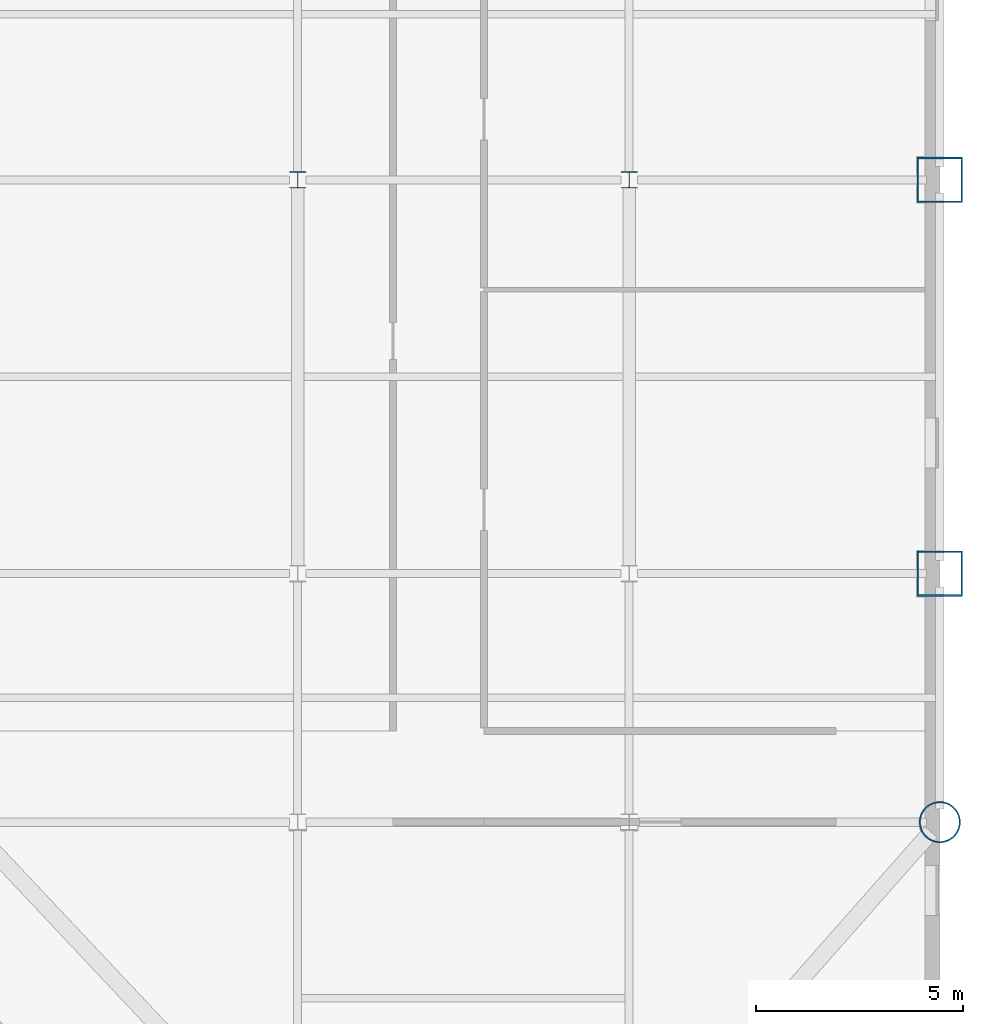
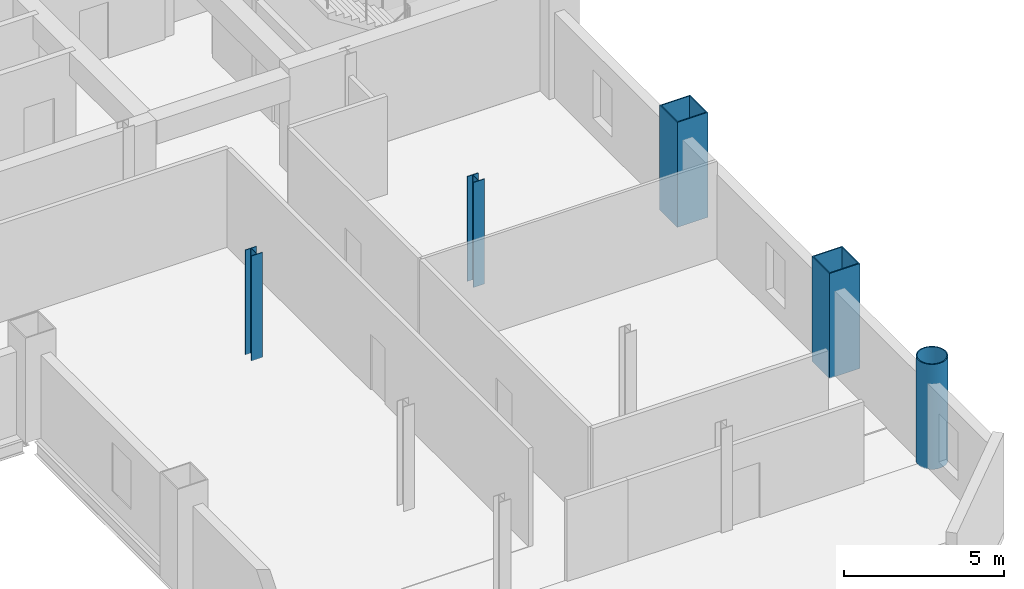
# One storey, part 2 of 10: 5 columns.
"""IFC4 building model written with IfcOpenShell, lengths in metres."""

from ifc_helpers import new_model, si_unit, direction, frame, origin, origin_2d, place, context, subcontext, project, spatial, hollow_rectangle, hollow_circle, i_section, extrude, material, material_profile, profile_set, type_object, element, save


model = new_model("IFC4")

# Units and contexts
model_context = context("Model", 3, precision=1e-05, world=origin(), true_north=direction((0.0, 1.0)))
body_context = subcontext(model_context, "Body", "Model", "MODEL_VIEW")
ifc_project = project(units=[si_unit("LENGTHUNIT", "METRE"), si_unit("AREAUNIT", "SQUARE_METRE"), si_unit("VOLUMEUNIT", "CUBIC_METRE"), si_unit("PLANEANGLEUNIT", "RADIAN"), si_unit("MASSUNIT", "GRAM", prefix="KILO")], contexts=[model_context])

# Site, building, storey
site_placement = place(None, origin())
site = spatial("IfcSite", under=ifc_project, at=site_placement, CompositionType="ELEMENT")
building_placement = place(site_placement, origin())
building = spatial("IfcBuilding", under=site, at=building_placement, Name="Qianrong Seaharbour Tower", CompositionType="ELEMENT")
storey_placement = place(building_placement, frame((0.0, 0.0, 171.0)))
storey = spatial("IfcBuildingStorey", under=building, at=storey_placement, Name="L41", CompositionType="ELEMENT", Elevation=171.0)

# Columns
ifc_material = material(Name="Structural steel SN490B", Category="steel")
ifc_material_profile_1 = material_profile(ifc_material, hollow_rectangle(XDim=1.10009765625, YDim=1.10009765625, WallThickness=0.0400390625, at=origin_2d()), Name="BOX1100x1100x40")
ifc_profile_set_1 = profile_set([ifc_material_profile_1], Name="Structural steel SN490B")
column_type_1 = type_object("IfcColumnType", Name="COL-CFT-1100", PredefinedType="COLUMN", material=ifc_profile_set_1)
for number, where, z_axis, x_axis, name in (
    (1, (64.0, 18.5, 0.0), (0.0, 0.0, 1.0), (1.0, 0.0, 0.0), "L41 Column MC-3 at G9/GD"),
    (2, (64.0, 28.0, 0.0), (0.0, 0.0, 1.0), (1.0, 0.0, 0.0), "L41 Column MC-3 at G9/GE"),
):
    element("IfcColumn", number, at=place(storey_placement, frame(where, z_axis=z_axis, x_axis=x_axis)), inside=storey, type_object=column_type_1, Name=name, PredefinedType="COLUMN", context=body_context, shape_type="SweptSolid", body=[
        extrude(hollow_rectangle(XDim=1.10009765625, YDim=1.10009765625, WallThickness=0.0400390625, at=origin_2d()), origin(), (0.0, 0.0, 1.0), 4.0),
    ])
ifc_material_profile_2 = material_profile(ifc_material, hollow_circle(Radius=0.5, WallThickness=0.035888671875, at=origin_2d()), Name="CHS1000x36")
ifc_profile_set_2 = profile_set([ifc_material_profile_2], Name="Structural steel SN490B")
column_type_2 = type_object("IfcColumnType", Name="COL-CHS-1000", PredefinedType="COLUMN", material=ifc_profile_set_2)
column_placement = place(storey_placement, frame((64.0, 12.5, 0.0), z_axis=(0.0, 0.0, 1.0), x_axis=(1.0, 0.0, 0.0)))
element("IfcColumn", 3, at=column_placement, inside=storey, type_object=column_type_2, Name="L41 Column CC-2 at G9/GC", PredefinedType="COLUMN", context=body_context, shape_type="SweptSolid", body=[
    extrude(hollow_circle(Radius=0.5, WallThickness=0.035888671875, at=origin_2d()), origin(), (0.0, 0.0, 1.0), 4.0),
])
ifc_material_profile_3 = material_profile(ifc_material, i_section(OverallWidth=0.39990234375, OverallDepth=0.39990234375, WebThickness=0.012939453125, FlangeThickness=0.02099609375, FilletRadius=0.02197265625, at=origin_2d()), Name="H400x400x13x21")
ifc_profile_set_3 = profile_set([ifc_material_profile_3], Name="Structural steel SN490B")
column_type_3 = type_object("IfcColumnType", Name="COL-INT-H400", PredefinedType="COLUMN", material=ifc_profile_set_3)
for number, where, z_axis, x_axis, name in (
    (4, (48.5, 28.0, 0.0), (0.0, 0.0, 1.0), (1.0, 0.0, 0.0), "L41 Column IC-3 at G7/GE"),
    (5, (56.5, 28.0, 0.0), (0.0, 0.0, 1.0), (1.0, 0.0, 0.0), "L41 Column IC-3 at G8/GE"),
):
    element("IfcColumn", number, at=place(storey_placement, frame(where, z_axis=z_axis, x_axis=x_axis)), inside=storey, type_object=column_type_3, Name=name, PredefinedType="COLUMN", context=body_context, shape_type="SweptSolid", body=[
        extrude(i_section(OverallWidth=0.39990234375, OverallDepth=0.39990234375, WebThickness=0.012939453125, FlangeThickness=0.02099609375, FilletRadius=0.02197265625, at=origin_2d()), origin(), (0.0, 0.0, 1.0), 4.0),
    ])

save(model, "model.ifc")
